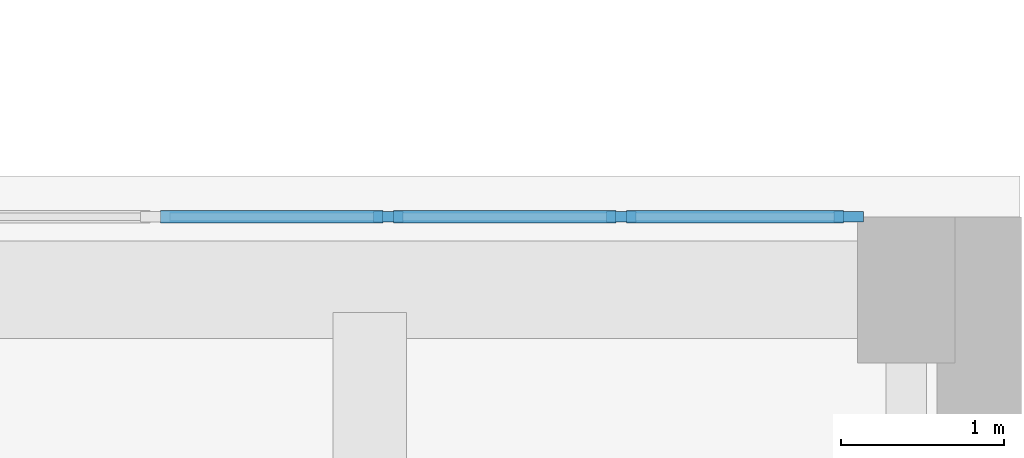
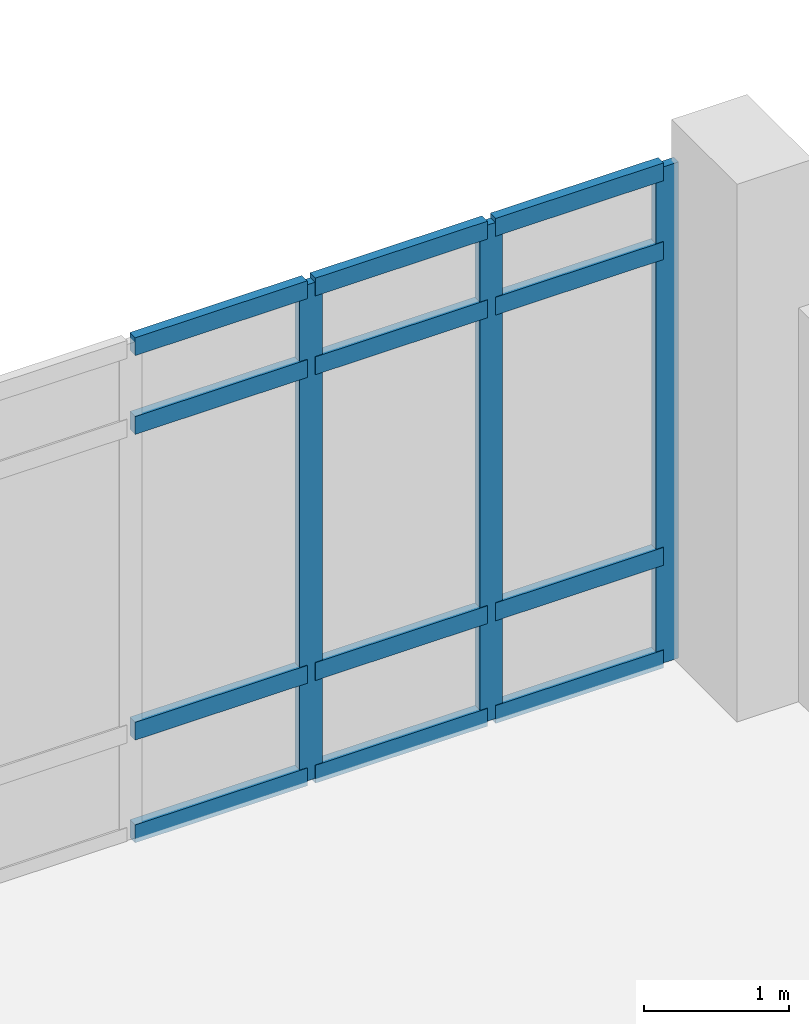
# One storey, part 42 of 89: 15 members, 1 element without a shape of its own.
"""IFC4 building model written with IfcOpenShell, lengths in metres."""

from ifc_helpers import new_model, si_unit, direction, frame, origin, origin_2d, place, context, subcontext, project, spatial, rectangle, extrude, material, material_profile, profile_set, type_object, element, aggregate, save


model = new_model("IFC4")

# Units and contexts
model_context = context("Model", 3, precision=1e-05, world=origin(), true_north=direction((0.0, 1.0)))
body_context = subcontext(model_context, "Body", "Model", "MODEL_VIEW")
ifc_project = project(units=[si_unit("LENGTHUNIT", "METRE"), si_unit("AREAUNIT", "SQUARE_METRE"), si_unit("VOLUMEUNIT", "CUBIC_METRE"), si_unit("PLANEANGLEUNIT", "RADIAN"), si_unit("MASSUNIT", "GRAM", prefix="KILO")], contexts=[model_context])

# Site, building, storey
site_placement = place(None, origin())
site = spatial("IfcSite", under=ifc_project, at=site_placement, CompositionType="ELEMENT")
building_placement = place(site_placement, origin())
building = spatial("IfcBuilding", under=site, at=building_placement, Name="Soyqirgoq Riverine Aquarium", CompositionType="ELEMENT")
storey_placement = place(building_placement, frame((0.0, 0.0, 5.39990234375)))
storey = spatial("IfcBuildingStorey", under=building, at=storey_placement, Name="L02", CompositionType="ELEMENT", Elevation=5.39990234375)

# Curtain wall, members
ifc_material_1 = material(Name="Anodised aluminium thermally broken gallery curtain wall", Category="aluminium")
curtain_wall_type = type_object("IfcCurtainWallType", Name="CW_Pavilion_Ribbon", PredefinedType="NOTDEFINED", material=ifc_material_1)
curtain_wall_placement = place(storey_placement, origin())
curtain_wall = element("IfcCurtainWall", 1, at=curtain_wall_placement, inside=storey, type_object=curtain_wall_type, Name="V6 L02 Curtain Wall 112", PredefinedType="NOTDEFINED")
ifc_material_2 = material(Name="Anodised aluminium 6063-T6", Category="aluminium")
ifc_material_profile_1 = material_profile(ifc_material_2, rectangle(XDim=0.06494140625, YDim=0.179931640625, at=origin_2d()), Name="ALU-M 65x180")
ifc_profile_set_1 = profile_set([ifc_material_profile_1], Name="Anodised aluminium 6063-T6")
member_type_1 = type_object("IfcMemberType", Name="CWMullion_65x180", PredefinedType="MULLION", material=ifc_profile_set_1)
member_1_placement = place(storey_placement, frame((160.114013671875, 18.25, 0.0), z_axis=(0.0, 0.0, 1.0), x_axis=(0.0, 1.0, 0.0)))
member_1 = element("IfcMember", 2, at=member_1_placement, type_object=member_type_1, Name="CW-05 mullion 22", PredefinedType="MULLION", context=body_context, shape_type="SweptSolid", body=[
    extrude(rectangle(XDim=0.06494140625, YDim=0.179931640625, at=origin_2d()), origin(), (0.0, 0.0, 1.0), 4.170166015625),
])
member_2_placement = place(storey_placement, frame((161.546875, 18.25, 0.0), z_axis=(0.0, 0.0, 1.0), x_axis=(0.0, 1.0, 0.0)))
member_2 = element("IfcMember", 3, at=member_2_placement, type_object=member_type_1, Name="CW-05 mullion 23", PredefinedType="MULLION", context=body_context, shape_type="SweptSolid", body=[
    extrude(rectangle(XDim=0.06494140625, YDim=0.179931640625, at=origin_2d()), origin(), (0.0, 0.0, 1.0), 4.170166015625),
])
member_3_placement = place(storey_placement, frame((162.947509765625, 18.25, 0.0), z_axis=(0.0, 0.0, 1.0), x_axis=(0.0, 1.0, 0.0)))
member_3 = element("IfcMember", 4, at=member_3_placement, type_object=member_type_1, Name="CW-05 mullion 24", PredefinedType="MULLION", context=body_context, shape_type="SweptSolid", body=[
    extrude(rectangle(XDim=0.06494140625, YDim=0.179931640625, at=origin_2d()), origin(), (0.0, 0.0, 1.0), 4.170166015625),
])
ifc_material_3 = material(Name="Anodised aluminium 6063-T6", Category="aluminium")
ifc_material_profile_2 = material_profile(ifc_material_3, rectangle(XDim=0.074951171875, YDim=0.14990234375, at=origin_2d()), Name="ALU-T 75x150")
ifc_profile_set_2 = profile_set([ifc_material_profile_2], Name="Anodised aluminium 6063-T6")
member_type_2 = type_object("IfcMemberType", Name="CWTransom_75x150", PredefinedType="USERDEFINED", material=ifc_profile_set_2)
member_4_placement = place(storey_placement, frame((158.71337890625, 18.25, 0.03759765625), z_axis=(1.0, 0.0, 0.0), x_axis=(0.0, 1.0, 0.0)))
member_4 = element("IfcMember", 5, at=member_4_placement, type_object=member_type_2, Name="CW-05 transom 21.1", ObjectType="TRANSOM", PredefinedType="USERDEFINED", context=body_context, shape_type="SweptSolid", body=[
    extrude(rectangle(XDim=0.074951171875, YDim=0.14990234375, at=origin_2d()), origin(), (0.0, 0.0, 1.0), 1.367919921875),
])
member_5_placement = place(storey_placement, frame((158.71337890625, 18.25, 0.900146484375), z_axis=(1.0, 0.0, 0.0), x_axis=(0.0, 1.0, 0.0)))
member_5 = element("IfcMember", 6, at=member_5_placement, type_object=member_type_2, Name="CW-05 transom 21.2", ObjectType="TRANSOM", PredefinedType="USERDEFINED", context=body_context, shape_type="SweptSolid", body=[
    extrude(rectangle(XDim=0.074951171875, YDim=0.14990234375, at=origin_2d()), origin(), (0.0, 0.0, 1.0), 1.367919921875),
])
member_6_placement = place(storey_placement, frame((158.71337890625, 18.25, 3.47021484375), z_axis=(1.0, 0.0, 0.0), x_axis=(0.0, 1.0, 0.0)))
member_6 = element("IfcMember", 7, at=member_6_placement, type_object=member_type_2, Name="CW-05 transom 21.3", ObjectType="TRANSOM", PredefinedType="USERDEFINED", context=body_context, shape_type="SweptSolid", body=[
    extrude(rectangle(XDim=0.074951171875, YDim=0.14990234375, at=origin_2d()), origin(), (0.0, 0.0, 1.0), 1.367919921875),
])
member_7_placement = place(storey_placement, frame((158.71337890625, 18.25, 4.132568359375), z_axis=(1.0, 0.0, 0.0), x_axis=(0.0, 1.0, 0.0)))
member_7 = element("IfcMember", 8, at=member_7_placement, type_object=member_type_2, Name="CW-05 transom 21.4", ObjectType="TRANSOM", PredefinedType="USERDEFINED", context=body_context, shape_type="SweptSolid", body=[
    extrude(rectangle(XDim=0.074951171875, YDim=0.14990234375, at=origin_2d()), origin(), (0.0, 0.0, 1.0), 1.367919921875),
])
member_8_placement = place(storey_placement, frame((160.146484375, 18.25, 0.03759765625), z_axis=(1.0, 0.0, 0.0), x_axis=(0.0, 1.0, 0.0)))
member_8 = element("IfcMember", 9, at=member_8_placement, type_object=member_type_2, Name="CW-05 transom 22.1", ObjectType="TRANSOM", PredefinedType="USERDEFINED", context=body_context, shape_type="SweptSolid", body=[
    extrude(rectangle(XDim=0.074951171875, YDim=0.14990234375, at=origin_2d()), origin(), (0.0, 0.0, 1.0), 1.367919921875),
])
member_9_placement = place(storey_placement, frame((160.146484375, 18.25, 0.900146484375), z_axis=(1.0, 0.0, 0.0), x_axis=(0.0, 1.0, 0.0)))
member_9 = element("IfcMember", 10, at=member_9_placement, type_object=member_type_2, Name="CW-05 transom 22.2", ObjectType="TRANSOM", PredefinedType="USERDEFINED", context=body_context, shape_type="SweptSolid", body=[
    extrude(rectangle(XDim=0.074951171875, YDim=0.14990234375, at=origin_2d()), origin(), (0.0, 0.0, 1.0), 1.367919921875),
])
member_10_placement = place(storey_placement, frame((160.146484375, 18.25, 3.47021484375), z_axis=(1.0, 0.0, 0.0), x_axis=(0.0, 1.0, 0.0)))
member_10 = element("IfcMember", 11, at=member_10_placement, type_object=member_type_2, Name="CW-05 transom 22.3", ObjectType="TRANSOM", PredefinedType="USERDEFINED", context=body_context, shape_type="SweptSolid", body=[
    extrude(rectangle(XDim=0.074951171875, YDim=0.14990234375, at=origin_2d()), origin(), (0.0, 0.0, 1.0), 1.367919921875),
])
member_11_placement = place(storey_placement, frame((160.146484375, 18.25, 4.132568359375), z_axis=(1.0, 0.0, 0.0), x_axis=(0.0, 1.0, 0.0)))
member_11 = element("IfcMember", 12, at=member_11_placement, type_object=member_type_2, Name="CW-05 transom 22.4", ObjectType="TRANSOM", PredefinedType="USERDEFINED", context=body_context, shape_type="SweptSolid", body=[
    extrude(rectangle(XDim=0.074951171875, YDim=0.14990234375, at=origin_2d()), origin(), (0.0, 0.0, 1.0), 1.367919921875),
])
member_12_placement = place(storey_placement, frame((161.579345703125, 18.25, 0.03759765625), z_axis=(1.0, 0.0, 0.0), x_axis=(0.0, 1.0, 0.0)))
member_12 = element("IfcMember", 13, at=member_12_placement, type_object=member_type_2, Name="CW-05 transom 23.1", ObjectType="TRANSOM", PredefinedType="USERDEFINED", context=body_context, shape_type="SweptSolid", body=[
    extrude(rectangle(XDim=0.074951171875, YDim=0.14990234375, at=origin_2d()), origin(), (0.0, 0.0, 1.0), 1.335693359375),
])
member_13_placement = place(storey_placement, frame((161.579345703125, 18.25, 0.900146484375), z_axis=(1.0, 0.0, 0.0), x_axis=(0.0, 1.0, 0.0)))
member_13 = element("IfcMember", 14, at=member_13_placement, type_object=member_type_2, Name="CW-05 transom 23.2", ObjectType="TRANSOM", PredefinedType="USERDEFINED", context=body_context, shape_type="SweptSolid", body=[
    extrude(rectangle(XDim=0.074951171875, YDim=0.14990234375, at=origin_2d()), origin(), (0.0, 0.0, 1.0), 1.335693359375),
])
member_14_placement = place(storey_placement, frame((161.579345703125, 18.25, 3.47021484375), z_axis=(1.0, 0.0, 0.0), x_axis=(0.0, 1.0, 0.0)))
member_14 = element("IfcMember", 15, at=member_14_placement, type_object=member_type_2, Name="CW-05 transom 23.3", ObjectType="TRANSOM", PredefinedType="USERDEFINED", context=body_context, shape_type="SweptSolid", body=[
    extrude(rectangle(XDim=0.074951171875, YDim=0.14990234375, at=origin_2d()), origin(), (0.0, 0.0, 1.0), 1.335693359375),
])
member_15_placement = place(storey_placement, frame((161.579345703125, 18.25, 4.132568359375), z_axis=(1.0, 0.0, 0.0), x_axis=(0.0, 1.0, 0.0)))
member_15 = element("IfcMember", 16, at=member_15_placement, type_object=member_type_2, Name="CW-05 transom 23.4", ObjectType="TRANSOM", PredefinedType="USERDEFINED", context=body_context, shape_type="SweptSolid", body=[
    extrude(rectangle(XDim=0.074951171875, YDim=0.14990234375, at=origin_2d()), origin(), (0.0, 0.0, 1.0), 1.335693359375),
])
aggregate(curtain_wall, [member_1, member_2, member_3, member_4, member_5, member_6, member_7, member_8, member_9, member_10, member_11, member_12, member_13, member_14, member_15])

save(model, "model.ifc")
